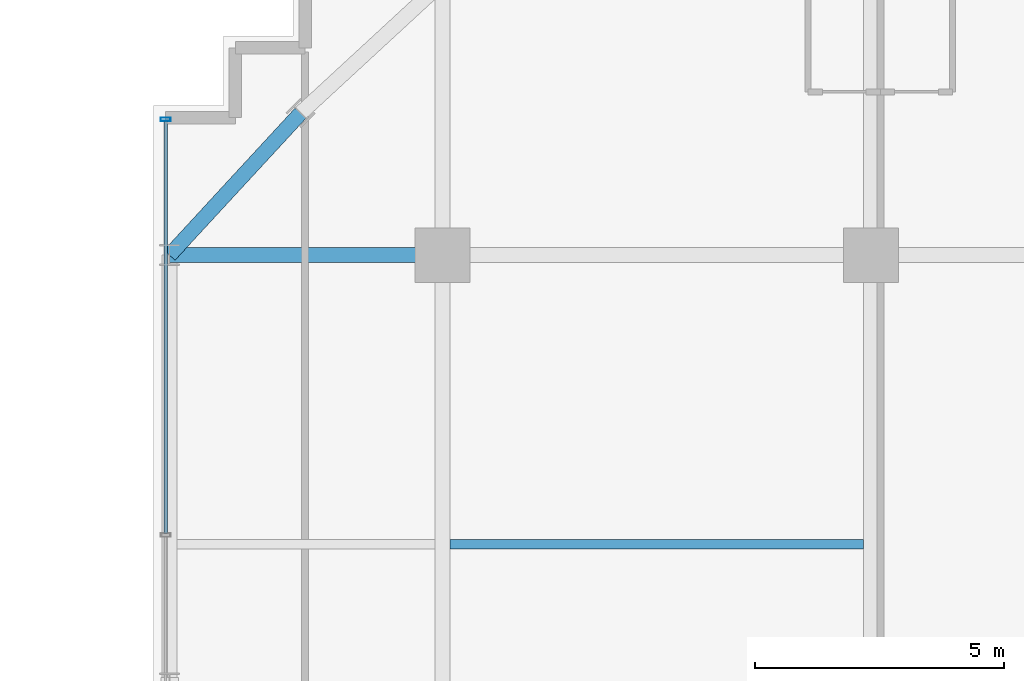
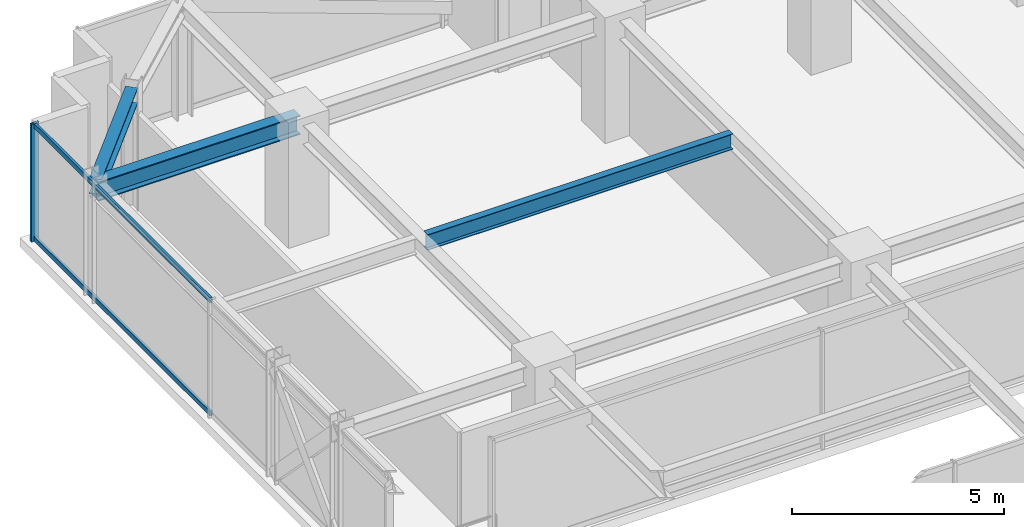
# One storey, part 20 of 35: 3 beams, 3 members, 1 element without a shape of its own.
"""IFC4 building model written with IfcOpenShell, lengths in metres."""

from ifc_helpers import new_model, si_unit, direction, frame, origin, origin_2d, place, context, subcontext, project, spatial, hollow_rectangle, i_section, extrude, source, transform, mapped, material, material_profile, profile_set, type_object, element, aggregate, save


model = new_model("IFC4")

# Units and contexts
model_context = context("Model", 3, precision=1e-05, world=origin(), true_north=direction((0.0, 1.0)))
body_context = subcontext(model_context, "Body", "Model", "MODEL_VIEW")
ifc_project = project(units=[si_unit("LENGTHUNIT", "METRE"), si_unit("AREAUNIT", "SQUARE_METRE"), si_unit("VOLUMEUNIT", "CUBIC_METRE"), si_unit("PLANEANGLEUNIT", "RADIAN"), si_unit("MASSUNIT", "GRAM", prefix="KILO")], contexts=[model_context])

# Site, building, storey
site_placement = place(None, origin())
site = spatial("IfcSite", under=ifc_project, at=site_placement, CompositionType="ELEMENT")
building_placement = place(site_placement, origin())
building = spatial("IfcBuilding", under=site, at=building_placement, Name="Nahalor Promenade Grand Hotel", CompositionType="ELEMENT")
storey_placement = place(building_placement, frame((0.0, 0.0, 185.5)))
storey = spatial("IfcBuildingStorey", under=building, at=storey_placement, Name="L47", CompositionType="ELEMENT", Elevation=185.5)

# Beams
ifc_material_1 = material(Name="Steel S355JR", Category="steel")
ifc_material_profile_1 = material_profile(ifc_material_1, i_section(OverallWidth=0.19, OverallDepth=0.45, WebThickness=0.0094, FlangeThickness=0.0146, at=origin_2d()), Name="IPE 450")
ifc_profile_set_1 = profile_set([ifc_material_profile_1], Name="Steel S355JR")
beam_type_1 = type_object("IfcBeamType", Name="Beam-Joist-IPE450", PredefinedType="JOIST", material=ifc_profile_set_1)
shared_shape_1 = source(origin(), body_context, "Body", "SweptSolid", [
    extrude(i_section(OverallWidth=0.19, OverallDepth=0.45, WebThickness=0.0094, FlangeThickness=0.0146, at=origin_2d()), origin(), (0.0, 0.0, 1.0), 8.300048828125),
])
beam_1_placement = place(storey_placement, frame((-16.85009765625, 11.199951171875, 3.1650390625), z_axis=(1.0, 0.0, 0.0), x_axis=(0.0, 1.0, 0.0)))
element("IfcBeam", 1, at=beam_1_placement, inside=storey, type_object=beam_type_1, Name="BM-L47-JSW-1-1", PredefinedType="JOIST", context=body_context, shape_type="MappedRepresentation", body=[
    mapped(shared_shape_1, transform((0.0, 0.0, 0.0), scale=1.0)),
])
ifc_material_profile_2 = material_profile(ifc_material_1, i_section(OverallWidth=0.3, OverallDepth=0.55, WebThickness=0.015, FlangeThickness=0.029, at=origin_2d()), Name="HEB 550")
ifc_profile_set_2 = profile_set([ifc_material_profile_2], Name="Steel S355JR")
beam_type_2 = type_object("IfcBeamType", Name="Beam-Girder-HEB550", PredefinedType="BEAM", material=ifc_profile_set_2)
shared_shape_2 = source(origin(), body_context, "Body", "SweptSolid", [
    extrude(i_section(OverallWidth=0.3, OverallDepth=0.55, WebThickness=0.015, FlangeThickness=0.029, at=origin_2d()), origin(), (0.0, 0.0, 1.0), 5.47998046875),
])
beam_2_placement = place(storey_placement, frame((-22.47998046875, 17.0, 3.114990234375), z_axis=(1.0, 0.0, 0.0), x_axis=(0.0, 1.0, 0.0)))
element("IfcBeam", 2, at=beam_2_placement, inside=storey, type_object=beam_type_2, Name="BM-L47-GX-3-0", PredefinedType="BEAM", context=body_context, shape_type="MappedRepresentation", body=[
    mapped(shared_shape_2, transform((0.0, 0.0, 0.0), scale=1.0)),
])
ifc_material_profile_3 = material_profile(ifc_material_1, i_section(OverallWidth=0.3, OverallDepth=0.45, WebThickness=0.014, FlangeThickness=0.026, at=origin_2d()), Name="HEB 450")
ifc_profile_set_3 = profile_set([ifc_material_profile_3], Name="Steel S355JR")
beam_type_3 = type_object("IfcBeamType", Name="Beam-Spandrel-HEB450", PredefinedType="SPANDREL", material=ifc_profile_set_3)
shared_shape_3 = source(origin(), body_context, "Body", "SweptSolid", [
    extrude(i_section(OverallWidth=0.3, OverallDepth=0.45, WebThickness=0.014, FlangeThickness=0.026, at=origin_2d()), origin(), (0.0, 0.0, 1.0), 3.878173828125),
])
beam_3_placement = place(storey_placement, frame((-19.85009765625, 19.85009765625, 3.1650390625), z_axis=(-0.678144125843, -0.73492893846, 0.0), x_axis=(0.73492893846, -0.678144125843, 0.0)))
element("IfcBeam", 3, at=beam_3_placement, inside=storey, type_object=beam_type_3, Name="BM-L47-SPC-NW-2", PredefinedType="SPANDREL", context=body_context, shape_type="MappedRepresentation", body=[
    mapped(shared_shape_3, transform((0.0, 0.0, 0.0), scale=1.0)),
])

# Curtain wall, members
ifc_material_2 = material(Name="Anodised Bronze Aluminium EN AW-6063 T6", Category="aluminium")
curtain_wall_type = type_object("IfcCurtainWallType", Name="CW3 Elliptical-Void Collar Unitised Curtain Wall", PredefinedType="USERDEFINED", material=ifc_material_2)
curtain_wall_placement = place(storey_placement, origin())
curtain_wall = element("IfcCurtainWall", 4, at=curtain_wall_placement, inside=storey, type_object=curtain_wall_type, Name="L47 Curtain Wall CW-L47-W-4", ObjectType="UNITISED_CURTAIN_WALL", PredefinedType="USERDEFINED")
ifc_material_profile_4 = material_profile(ifc_material_2, hollow_rectangle(XDim=0.07, YDim=0.14, WallThickness=0.004, at=origin_2d()), Name="CWT 70x140x4")
ifc_profile_set_4 = profile_set([ifc_material_profile_4], Name="Anodised Bronze Aluminium EN AW-6063 T6")
member_type_1 = type_object("IfcMemberType", Name="CWT3 Void Collar Transom 70x140", PredefinedType="USERDEFINED", material=ifc_profile_set_4)
shared_shape_4 = source(origin(), body_context, "Body", "SweptSolid", [
    extrude(hollow_rectangle(XDim=0.07, YDim=0.14, WallThickness=0.004, at=origin_2d()), origin(), (0.0, 0.0, 1.0), 8.275390625),
])
member_1_placement = place(storey_placement, frame((-22.56005859375, 11.41455078125, 0.070068359375), z_axis=(0.0, 1.0, 0.0), x_axis=(-1.0, 0.0, 0.0)))
member_1 = element("IfcMember", 5, at=member_1_placement, type_object=member_type_1, Name="CW-L47-W-4 Transom 1-0", ObjectType="TRANSOM", PredefinedType="USERDEFINED", context=body_context, shape_type="MappedRepresentation", body=[
    mapped(shared_shape_4, transform((0.0, 0.0, 0.0), scale=1.0)),
])
member_2_placement = place(storey_placement, frame((-22.56005859375, 11.41455078125, 3.320068359375), z_axis=(0.0, 1.0, 0.0), x_axis=(-1.0, 0.0, 0.0)))
member_2 = element("IfcMember", 6, at=member_2_placement, type_object=member_type_1, Name="CW-L47-W-4 Transom 1-1", ObjectType="TRANSOM", PredefinedType="USERDEFINED", context=body_context, shape_type="MappedRepresentation", body=[
    mapped(shared_shape_4, transform((0.0, 0.0, 0.0), scale=1.0)),
])
ifc_material_profile_5 = material_profile(ifc_material_2, hollow_rectangle(XDim=0.07, YDim=0.2, WallThickness=0.005, at=origin_2d()), Name="CWM 70x200x5")
ifc_profile_set_5 = profile_set([ifc_material_profile_5], Name="Anodised Bronze Aluminium EN AW-6063 T6")
member_type_2 = type_object("IfcMemberType", Name="CWM3 Void Collar Mullion 70x200", PredefinedType="MULLION", material=ifc_profile_set_5)
shared_shape_5 = source(origin(), body_context, "Body", "SweptSolid", [
    extrude(hollow_rectangle(XDim=0.07, YDim=0.2, WallThickness=0.005, at=origin_2d()), origin(), (0.0, 0.0, 1.0), 3.389892578125),
])
member_3_placement = place(storey_placement, frame((-22.56005859375, 19.72509765625, 0.0), z_axis=(0.0, 0.0, 1.0), x_axis=(0.0, 1.0, 0.0)))
member_3 = element("IfcMember", 7, at=member_3_placement, type_object=member_type_2, Name="CW-L47-W-4 Mullion 2", PredefinedType="MULLION", context=body_context, shape_type="MappedRepresentation", body=[
    mapped(shared_shape_5, transform((0.0, 0.0, 0.0), scale=1.0)),
])
aggregate(curtain_wall, [member_3, member_1, member_2])

save(model, "model.ifc")
